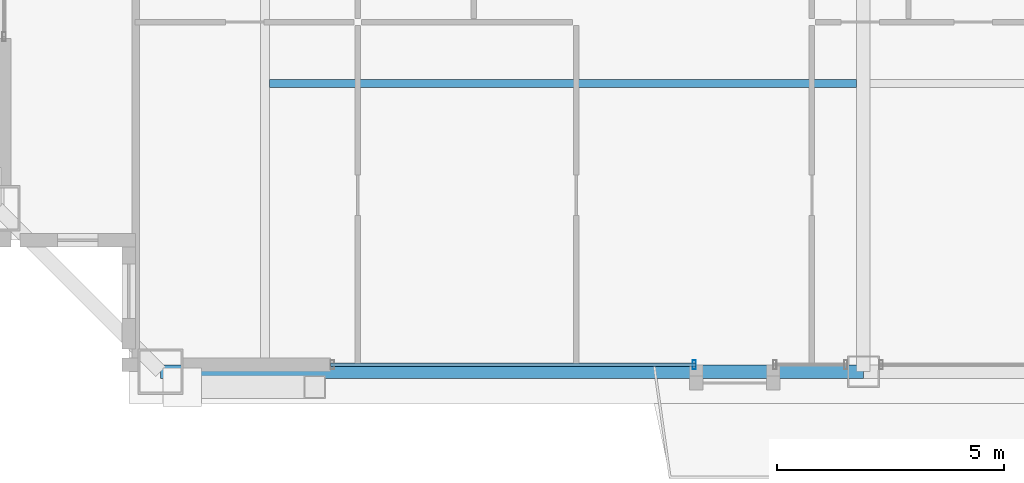
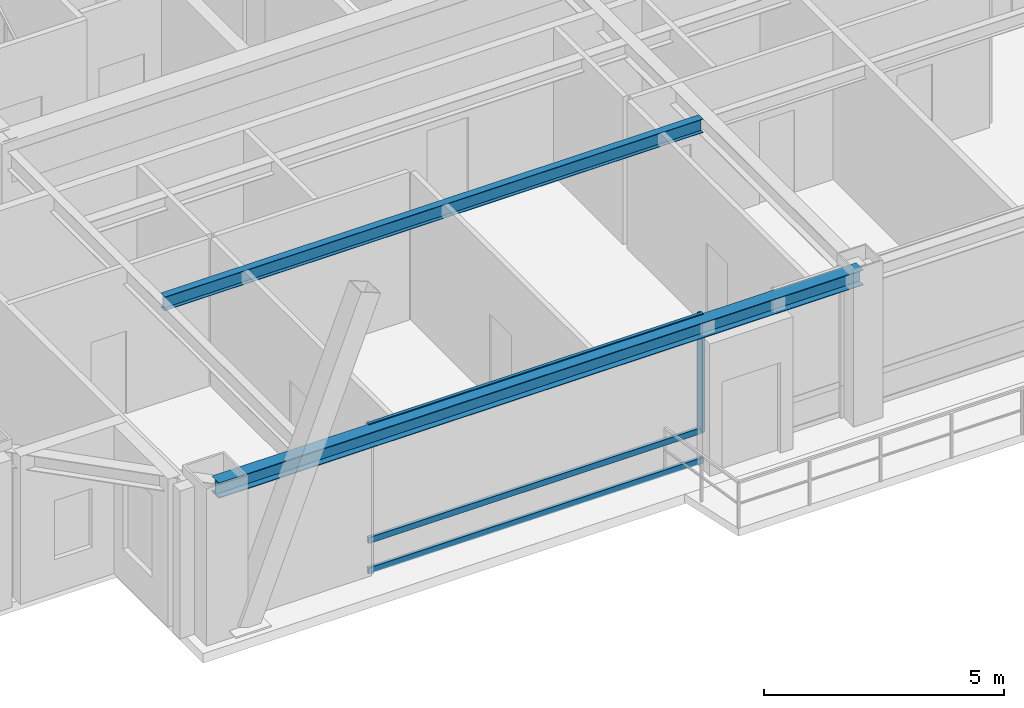
# One storey, part 5 of 35: 4 members, 2 beams, 1 element without a shape of its own.
"""IFC4 building model written with IfcOpenShell, lengths in metres."""

from ifc_helpers import new_model, si_unit, direction, frame, origin, origin_2d, place, context, subcontext, project, spatial, hollow_rectangle, i_section, extrude, source, transform, mapped, material, layer, layer_set, material_profile, profile_set, type_object, element, aggregate, save


model = new_model("IFC4")

# Units and contexts
model_context = context("Model", 3, precision=1e-05, world=origin(), true_north=direction((0.0, 1.0)))
body_context = subcontext(model_context, "Body", "Model", "MODEL_VIEW")
ifc_project = project(units=[si_unit("LENGTHUNIT", "METRE"), si_unit("AREAUNIT", "SQUARE_METRE"), si_unit("VOLUMEUNIT", "CUBIC_METRE"), si_unit("PLANEANGLEUNIT", "RADIAN"), si_unit("MASSUNIT", "GRAM", prefix="KILO"), si_unit("THERMODYNAMICTEMPERATUREUNIT", "KELVIN"), si_unit("POWERUNIT", "WATT")], contexts=[model_context])

# Site, building, storey
site_placement = place(None, origin())
site = spatial("IfcSite", under=ifc_project, at=site_placement, CompositionType="ELEMENT")
building_placement = place(site_placement, origin())
building = spatial("IfcBuilding", under=site, at=building_placement, Name="Yuzanri Waterfront Tower", CompositionType="ELEMENT")
storey_placement = place(building_placement, frame((0.0, 0.0, 343.199951171875)))
storey = spatial("IfcBuildingStorey", under=building, at=storey_placement, Name="L92", CompositionType="ELEMENT", Elevation=343.199951171875)

# Beams
ifc_material_1 = material(Name="Steel Q355B", Category="steel")
ifc_material_profile_1 = material_profile(ifc_material_1, i_section(OverallWidth=0.175048828125, OverallDepth=0.35009765625, WebThickness=0.007080078125, FlangeThickness=0.010986328125, at=origin_2d()), Name="HN 350x175x7x11")
ifc_profile_set_1 = profile_set([ifc_material_profile_1], Name="Steel Q355B")
beam_type_1 = type_object("IfcBeamType", Name="Floor Joist Q355B HN 350x175", PredefinedType="JOIST", material=ifc_profile_set_1)
shared_shape_1 = source(origin(), body_context, "Body", "SweptSolid", [
    extrude(i_section(OverallWidth=0.175048828125, OverallDepth=0.35009765625, WebThickness=0.007080078125, FlangeThickness=0.010986328125, at=origin_2d()), origin(), (0.0, 0.0, 1.0), 12.9501953125),
])
beam_1_placement = place(storey_placement, frame((23.89990234375, 13.050048828125, 3.5849609375), z_axis=(1.0, 0.0, 0.0), x_axis=(0.0, 1.0, 0.0)))
element("IfcBeam", 1, at=beam_1_placement, inside=storey, type_object=beam_type_1, Name="L92 South Bay Joist W", PredefinedType="JOIST", context=body_context, shape_type="MappedRepresentation", body=[
    mapped(shared_shape_1, transform((0.0, 0.0, 0.0), scale=1.0)),
])
ifc_material_2 = material(Name="Steel Q355B", Category="steel")
ifc_material_profile_2 = material_profile(ifc_material_2, i_section(OverallWidth=0.300048828125, OverallDepth=0.389892578125, WebThickness=0.010009765625, FlangeThickness=0.01611328125, at=origin_2d()), Name="HM 390x300x10x16")
ifc_profile_set_2 = profile_set([ifc_material_profile_2], Name="Steel Q355B")
beam_type_2 = type_object("IfcBeamType", Name="Perimeter Spandrel Q355B HM 390x300", PredefinedType="SPANDREL", material=ifc_profile_set_2)
shared_shape_2 = source(origin(), body_context, "Body", "SweptSolid", [
    extrude(i_section(OverallWidth=0.300048828125, OverallDepth=0.389892578125, WebThickness=0.010009765625, FlangeThickness=0.01611328125, at=origin_2d()), origin(), (0.0, 0.0, 1.0), 15.5),
])
beam_2_placement = place(storey_placement, frame((21.5, 6.699951171875, 3.56494140625), z_axis=(1.0, 0.0, 0.0), x_axis=(0.0, 1.0, 0.0)))
element("IfcBeam", 2, at=beam_2_placement, inside=storey, type_object=beam_type_2, Name="L92 Perimeter Spandrel S1-S2", PredefinedType="SPANDREL", context=body_context, shape_type="MappedRepresentation", body=[
    mapped(shared_shape_2, transform((0.0, 0.0, 0.0), scale=1.0)),
])

# Curtain wall, members
ifc_material_3 = material(Name="Anodized Architectural Bronze", Category="metal")
ifc_layer = layer(ifc_material_3, 0.159912109375)
ifc_layer_set = layer_set([ifc_layer], Name="Anodized Architectural Bronze")
curtain_wall_type = type_object("IfcCurtainWallType", Name="Anodized Bronze High-Rise Penthouse High-Wind Unitized Curtain Wall 6900", PredefinedType="NOTDEFINED", material=ifc_layer_set)
curtain_wall_placement = place(storey_placement, origin())
curtain_wall = element("IfcCurtainWall", 3, at=curtain_wall_placement, inside=storey, type_object=curtain_wall_type, Name="L92 Curtain Wall CW-L92-SL1", PredefinedType="NOTDEFINED")
ifc_material_4 = material(Name="Anodized Architectural Bronze", Category="metal")
ifc_material_profile_3 = material_profile(ifc_material_4, hollow_rectangle(XDim=0.074951171875, YDim=0.199951171875, WallThickness=0.00390625, at=origin_2d()), Name="CWM 75x200")
ifc_profile_set_3 = profile_set([ifc_material_profile_3], Name="Anodized Architectural Bronze")
member_type_1 = type_object("IfcMemberType", Name="Anodized Bronze Primary Curtain-Wall Mullion 75x200", PredefinedType="MULLION", material=ifc_profile_set_3)
shared_shape_3 = source(origin(), body_context, "Body", "SweptSolid", [
    extrude(hollow_rectangle(XDim=0.074951171875, YDim=0.199951171875, WallThickness=0.00390625, at=origin_2d()), origin(), (0.0, 0.0, 1.0), 2.93798828125),
])
member_1_placement = place(storey_placement, frame((33.26904296875, 6.85009765625, 0.822021484375), z_axis=(0.0, 0.0, 1.0), x_axis=(1.0, 0.0, 0.0)))
member_1 = element("IfcMember", 4, at=member_1_placement, type_object=member_type_1, Name="CW-L92-SL1 Upper Mullion 01", PredefinedType="MULLION", context=body_context, shape_type="MappedRepresentation", body=[
    mapped(shared_shape_3, transform((0.0, 0.0, 0.0), scale=1.0)),
])
ifc_material_5 = material(Name="Anodized Architectural Bronze", Category="metal")
ifc_material_profile_4 = material_profile(ifc_material_5, hollow_rectangle(XDim=0.074951171875, YDim=0.14990234375, WallThickness=0.00390625, at=origin_2d()), Name="CWT 75x150")
ifc_profile_set_4 = profile_set([ifc_material_profile_4], Name="Anodized Architectural Bronze")
member_type_2 = type_object("IfcMemberType", Name="Anodized Bronze Primary Curtain-Wall Transom 75x150", PredefinedType="USERDEFINED", material=ifc_profile_set_4)
shared_shape_4 = source(origin(), body_context, "Body", "SweptSolid", [
    extrude(hollow_rectangle(XDim=0.074951171875, YDim=0.14990234375, WallThickness=0.00390625, at=origin_2d()), origin(), (0.0, 0.0, 1.0), 8.05908203125),
])
member_2_placement = place(storey_placement, frame((25.25, 6.85009765625, 0.050048828125), z_axis=(1.0, 0.0, 0.0), x_axis=(0.0, 1.0, 0.0)))
member_2 = element("IfcMember", 5, at=member_2_placement, type_object=member_type_2, Name="CW-L92-SL1 Transom 1", ObjectType="TRANSOM", PredefinedType="USERDEFINED", context=body_context, shape_type="MappedRepresentation", body=[
    mapped(shared_shape_4, transform((0.0, 0.0, 0.0), scale=1.0)),
])
member_3_placement = place(storey_placement, frame((25.25, 6.85009765625, 0.820068359375), z_axis=(1.0, 0.0, 0.0), x_axis=(0.0, 1.0, 0.0)))
member_3 = element("IfcMember", 6, at=member_3_placement, type_object=member_type_2, Name="CW-L92-SL1 Transom 2", ObjectType="TRANSOM", PredefinedType="USERDEFINED", context=body_context, shape_type="MappedRepresentation", body=[
    mapped(shared_shape_4, transform((0.0, 0.0, 0.0), scale=1.0)),
])
member_4_placement = place(storey_placement, frame((25.25, 6.85009765625, 3.7099609375), z_axis=(1.0, 0.0, 0.0), x_axis=(0.0, 1.0, 0.0)))
member_4 = element("IfcMember", 7, at=member_4_placement, type_object=member_type_2, Name="CW-L92-SL1 Transom 3", ObjectType="TRANSOM", PredefinedType="USERDEFINED", context=body_context, shape_type="MappedRepresentation", body=[
    mapped(shared_shape_4, transform((0.0, 0.0, 0.0), scale=1.0)),
])
aggregate(curtain_wall, [member_1, member_2, member_3, member_4])

save(model, "model.ifc")
